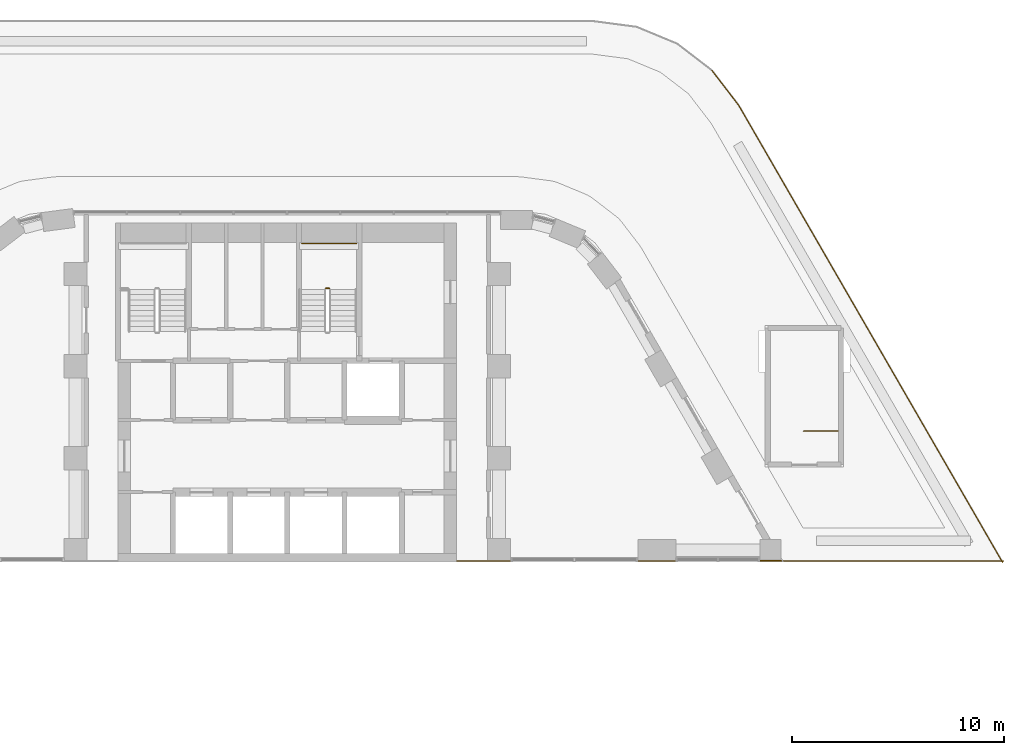
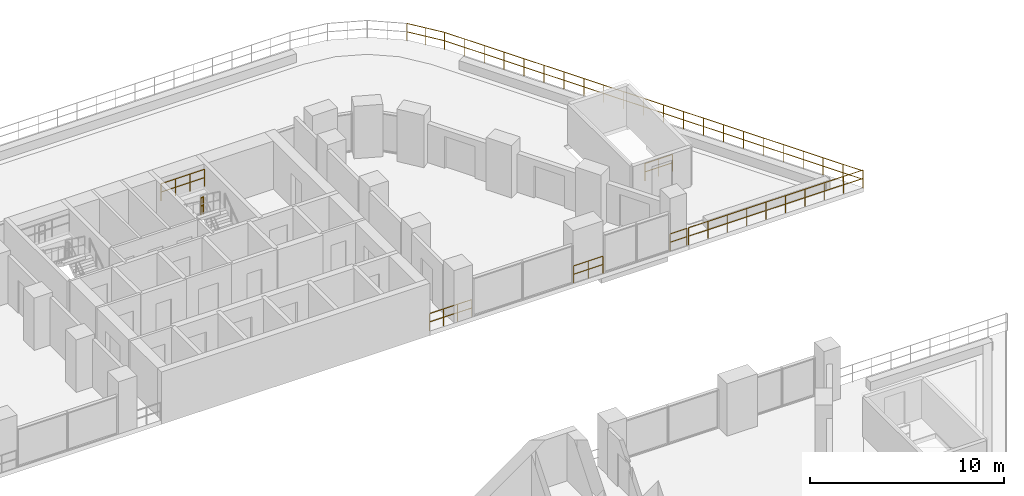
# One storey, part 23 of 24: 9 railings.
"""IFC4 building model written with IfcOpenShell, lengths in metres."""

import ifcopenshell
import ifcopenshell.guid

model = None  # the IFC model being written
_history = None  # IfcOwnerHistory: only IFC2X3 demands one
_inside = {}  # id of a spatial element -> (the spatial element, [elements in it])
_under = {}  # id of a project, library or spatial element -> (it, [spatial elements below it])
_declared = {}  # id of a project -> (the project, [libraries it declares])
_typed = {}  # id of a type object -> (the type object, [elements of that type])
_made_of = {}  # id of a material, layer set ... -> (it, [elements and type objects made of it])


def new_model(schema):
    """Start an empty IFC model of exactly this schema.

    Asked for "IFC4X3", IfcOpenShell would pick the latest addendum, in which some entities
    have other attributes; the version numbers below select the first issue.
    IFC2X3 requires an IfcOwnerHistory on every rooted entity: one is made here for all.
    """
    global model, _history
    if schema == "IFC4X3":
        model = ifcopenshell.file(schema_version=(4, 3, 0, 0))
    else:
        model = ifcopenshell.file(schema=schema)
    _inside.clear()
    _under.clear()
    _declared.clear()
    _typed.clear()
    _made_of.clear()
    _history = None
    if model.schema == "IFC2X3":
        org = make("IfcOrganization", Name="unknown")
        user = make(
            "IfcPersonAndOrganization",
            ThePerson=make("IfcPerson", FamilyName="unknown"),
            TheOrganization=org,
        )
        app = make(
            "IfcApplication",
            ApplicationDeveloper=org,
            Version="unknown",
            ApplicationFullName="unknown",
            ApplicationIdentifier="unknown",
        )
        _history = make(
            "IfcOwnerHistory",
            OwningUser=user,
            OwningApplication=app,
            ChangeAction="ADDED",
            CreationDate=0,
        )
    return model


def make(cls, **values):
    """One entity of the class cls with the attributes given. An attribute that is None is left unset."""
    return model.create_entity(
        cls, **{name: value for name, value in values.items() if value is not None}
    )


def rooted(cls, **values):
    """An entity with a GlobalId (a new one), such as an element, a storey or a relation."""
    return make(cls, GlobalId=ifcopenshell.guid.new(), OwnerHistory=_history, **values)


def si_unit(unit_type, name, prefix=None):
    """IfcSIUnit, for example si_unit("LENGTHUNIT", "METRE", prefix="MILLI")."""
    return make("IfcSIUnit", UnitType=unit_type, Prefix=prefix, Name=name)


def assignment(units):
    """IfcUnitAssignment: the units of a project."""
    return None if units is None else make("IfcUnitAssignment", Units=units)


def point(xyz):
    """IfcCartesianPoint."""
    return None if xyz is None else make("IfcCartesianPoint", Coordinates=xyz)


def direction(xyz):
    """IfcDirection."""
    return None if xyz is None else make("IfcDirection", DirectionRatios=xyz)


def frame(location, z_axis=None, x_axis=None):
    """IfcAxis2Placement3D, a coordinate frame: its origin and axes. An axis left out is left unset."""
    return make(
        "IfcAxis2Placement3D",
        Location=point(location),
        Axis=direction(z_axis),
        RefDirection=direction(x_axis),
    )


def frame_2d(location, x_axis=None):
    """IfcAxis2Placement2D, a coordinate frame in the plane: its origin and x axis."""
    return make(
        "IfcAxis2Placement2D", Location=point(location), RefDirection=direction(x_axis)
    )


def origin():
    """The frame at (0, 0, 0) with its axes left unset."""
    return frame((0.0, 0.0, 0.0))


def origin_2d():
    """The frame at (0, 0) in the plane with its x axis left unset."""
    return frame_2d((0.0, 0.0))


def place(relative_to, where):
    """IfcLocalPlacement: puts the frame where relative to a parent placement (None: the world)."""
    return make(
        "IfcLocalPlacement", PlacementRelTo=relative_to, RelativePlacement=where
    )


def context(
    kind, dimensions, precision=None, world=None, true_north=None, identifier=None
):
    """IfcGeometricRepresentationContext, for example the 3D "Model" context."""
    return make(
        "IfcGeometricRepresentationContext",
        ContextIdentifier=identifier,
        ContextType=kind,
        CoordinateSpaceDimension=dimensions,
        Precision=precision,
        WorldCoordinateSystem=world,
        TrueNorth=true_north,
    )


def subcontext(parent, identifier, kind, view, scale=None):
    """IfcGeometricRepresentationSubContext, for example "Body" below "Model"."""
    return make(
        "IfcGeometricRepresentationSubContext",
        ContextIdentifier=identifier,
        ContextType=kind,
        ParentContext=parent,
        TargetScale=scale,
        TargetView=view,
    )


def project(units=None, contexts=None):
    """IfcProject with its units and contexts."""
    return rooted(
        "IfcProject",
        Name="project",
        RepresentationContexts=contexts,
        UnitsInContext=assignment(units),
    )


def spatial(cls, under=None, at=None, **own):
    """A site, building, storey or space (cls), placed at a placement, below another one or the project."""
    s = rooted(cls, ObjectPlacement=at, **own)
    if under is not None:
        _under.setdefault(under.id(), (under, []))[1].append(s)
    return s


def profile(cls, at=None, kind="AREA", **sizes):
    """A parametric profile (cls). Its sizes go by their IFC names, for example OverallWidth=200.0."""
    return make(cls, ProfileType=kind, Position=at, **sizes)


def circle(**sizes):
    """IfcCircleProfileDef."""
    return profile("IfcCircleProfileDef", **sizes)


def extrude(swept, where, along, depth):
    """IfcExtrudedAreaSolid: the profile swept, set in the frame where, extruded along a direction by depth."""
    return make(
        "IfcExtrudedAreaSolid",
        SweptArea=swept,
        Position=where,
        ExtrudedDirection=direction(along),
        Depth=depth,
    )


def shape(context_of_items, identifier, shape_type, items):
    """IfcShapeRepresentation: the items that make up one representation, for example the "Body"."""
    return make(
        "IfcShapeRepresentation",
        ContextOfItems=context_of_items,
        RepresentationIdentifier=identifier,
        RepresentationType=shape_type,
        Items=items,
    )


def material(Name=None, Category=None):
    """IfcMaterial."""
    return make("IfcMaterial", Name=Name, Category=Category)


def made_of(thing, what):
    """Note that an element or type object is made of a material, layer set ...; save() writes the relation."""
    if what is not None:
        _made_of.setdefault(what.id(), (what, []))[1].append(thing)
    return thing


def type_object(cls, material=None, **own):
    """A type object (cls), such as IfcWallType, which elements share."""
    return made_of(rooted(cls, **own), material)


def element(
    cls,
    number,
    at=None,
    inside=None,
    cuts=None,
    type_object=None,
    material=None,
    context=None,
    identifier="Body",
    shape_type=None,
    held_by="IfcProductDefinitionShape",
    body=None,
    shapes=None,
    **own,
):
    """One element of the class cls, such as IfcWall. Its Tag is "e" and its number.

    at: its placement. inside: the storey or other place that contains it. cuts: it is an
    opening in that element (IfcRelVoidsElement). A single representation is given by context,
    identifier, shape_type and body (its items); several are given by shapes. held_by: the class
    of the entity that holds the representations. save() writes the other relations.
    """
    e = rooted(cls, Tag="e%d" % number, ObjectPlacement=at, **own)
    if body is not None:
        shapes = [shape(context, identifier, shape_type, body)]
    if shapes is not None:
        e.Representation = make(held_by, Representations=shapes)
    if inside is not None:
        _inside.setdefault(inside.id(), (inside, []))[1].append(e)
    if cuts is not None:
        rooted(
            "IfcRelVoidsElement", RelatingBuildingElement=cuts, RelatedOpeningElement=e
        )
    if type_object is not None:
        _typed.setdefault(type_object.id(), (type_object, []))[1].append(e)
    return made_of(e, material)


def aggregate(whole, parts):
    """IfcRelAggregates: a whole, such as a stair, and the parts it consists of."""
    return rooted("IfcRelAggregates", RelatingObject=whole, RelatedObjects=parts)


def save(model, path):
    """Write the relations noted so far, then the file.

    IfcRelAggregates (storeys below a building ...), IfcRelContainedInSpatialStructure (elements
    in a storey), IfcRelDefinesByType, IfcRelAssociatesMaterial and IfcRelDeclares: one each for
    every whole, place, type object, material and project.
    """
    for whole, parts in _under.values():
        aggregate(whole, parts)
    for where, things in _inside.values():
        rooted(
            "IfcRelContainedInSpatialStructure",
            RelatedElements=things,
            RelatingStructure=where,
        )
    for kind, things in _typed.values():
        rooted("IfcRelDefinesByType", RelatedObjects=things, RelatingType=kind)
    for what, things in _made_of.values():
        rooted("IfcRelAssociatesMaterial", RelatedObjects=things, RelatingMaterial=what)
    for by, libraries in _declared.values():
        rooted("IfcRelDeclares", RelatingContext=by, RelatedDefinitions=libraries)
    model.write(path)


model = new_model("IFC4")

# Units and contexts
model_context = context("Model", 3, precision=1e-05, world=origin(), true_north=direction((0.0, 1.0)))
body_context = subcontext(model_context, "Body", "Model", "MODEL_VIEW")
ifc_project = project(units=[si_unit("LENGTHUNIT", "METRE"), si_unit("AREAUNIT", "SQUARE_METRE"), si_unit("VOLUMEUNIT", "CUBIC_METRE"), si_unit("PLANEANGLEUNIT", "RADIAN"), si_unit("MASSUNIT", "GRAM", prefix="KILO")], contexts=[model_context])

# Site, building, storey
site_placement = place(None, origin())
site = spatial("IfcSite", under=ifc_project, at=site_placement, CompositionType="ELEMENT")
building_placement = place(site_placement, origin())
building = spatial("IfcBuilding", under=site, at=building_placement, Name="Nakaniwa Court", CompositionType="ELEMENT")
storey_placement = place(building_placement, frame((0.0, 0.0, 28.199951171875)))
storey = spatial("IfcBuildingStorey", under=building, at=storey_placement, Name="L06", CompositionType="ELEMENT", Elevation=28.199951171875)

# Railings
ifc_material_1 = material(Name="Black powder-coated steel flat bar balustrade S275", Category="steel")
railing_type_1 = type_object("IfcRailingType", Name="Black metal terrace guard 1100", PredefinedType="GUARDRAIL", material=ifc_material_1)
railing_1_placement = place(storey_placement, frame((103.4404296875, 87.449951171875, 0.0)))
element("IfcRailing", 1, at=railing_1_placement, inside=storey, type_object=railing_type_1, Name="L06 play deck 2 guard 3", PredefinedType="GUARDRAIL", context=body_context, shape_type="SweptSolid", body=[
    extrude(circle(Radius=0.02392578125, at=origin_2d()), frame((0.0, 0.0, 1.076171875), z_axis=(1.0, 0.0, 0.0), x_axis=(0.0, 1.0, 0.0)), (0.0, 0.0, 1.0), 10.392333984375),
    extrude(circle(Radius=0.02392578125, at=origin_2d()), frame((0.0, 0.0, 0.550048828125), z_axis=(1.0, 0.0, 0.0), x_axis=(0.0, 1.0, 0.0)), (0.0, 0.0, 1.0), 10.392333984375),
    extrude(circle(Radius=0.02099609375, at=origin_2d()), origin(), (0.0, 0.0, 1.0), 1.052001953125),
    extrude(circle(Radius=0.02099609375, at=origin_2d()), frame((1.15478515625, 0.0, 0.0)), (0.0, 0.0, 1.0), 1.052001953125),
    extrude(circle(Radius=0.02099609375, at=origin_2d()), frame((2.309326171875, 0.0, 0.0)), (0.0, 0.0, 1.0), 1.052001953125),
    extrude(circle(Radius=0.02099609375, at=origin_2d()), frame((3.464111328125, 0.0, 0.0)), (0.0, 0.0, 1.0), 1.052001953125),
    extrude(circle(Radius=0.02099609375, at=origin_2d()), frame((4.618896484375, 0.0, 0.0)), (0.0, 0.0, 1.0), 1.052001953125),
    extrude(circle(Radius=0.02099609375, at=origin_2d()), frame((5.7734375, 0.0, 0.0)), (0.0, 0.0, 1.0), 1.052001953125),
    extrude(circle(Radius=0.02099609375, at=origin_2d()), frame((6.92822265625, 0.0, 0.0)), (0.0, 0.0, 1.0), 1.052001953125),
    extrude(circle(Radius=0.02099609375, at=origin_2d()), frame((8.0830078125, 0.0, 0.0)), (0.0, 0.0, 1.0), 1.052001953125),
    extrude(circle(Radius=0.02099609375, at=origin_2d()), frame((9.237548828125, 0.0, 0.0)), (0.0, 0.0, 1.0), 1.052001953125),
    extrude(circle(Radius=0.02099609375, at=origin_2d()), frame((10.392333984375, 0.0, 0.0)), (0.0, 0.0, 1.0), 1.052001953125),
])
railing_2_placement = place(storey_placement, frame((113.789306640625, 87.375, 0.0)))
element("IfcRailing", 2, at=railing_2_placement, inside=storey, type_object=railing_type_1, Name="L06 play deck 2 guard 4", PredefinedType="GUARDRAIL", context=body_context, shape_type="SweptSolid", body=[
    extrude(circle(Radius=0.02392578125, at=origin_2d()), frame((0.0, 0.0, 1.076171875), z_axis=(-0.499996419489, 0.866027470984, 0.0), x_axis=(-0.866027470984, -0.499996419489, 0.0)), (0.0, 0.0, 1.0), 24.941650390625),
    extrude(circle(Radius=0.02392578125, at=origin_2d()), frame((0.0, 0.0, 0.550048828125), z_axis=(-0.499996419489, 0.866027470984, 0.0), x_axis=(-0.866027470984, -0.499996419489, 0.0)), (0.0, 0.0, 1.0), 24.941650390625),
    extrude(circle(Radius=0.02099609375, at=origin_2d()), origin(), (0.0, 0.0, 1.0), 1.052001953125),
    extrude(circle(Radius=0.02099609375, at=origin_2d()), frame((-0.59375, 1.028564453125, 0.0)), (0.0, 0.0, 1.0), 1.052001953125),
    extrude(circle(Radius=0.02099609375, at=origin_2d()), frame((-1.187744140625, 2.05712890625, 0.0)), (0.0, 0.0, 1.0), 1.052001953125),
    extrude(circle(Radius=0.02099609375, at=origin_2d()), frame((-1.781494140625, 3.085693359375, 0.0)), (0.0, 0.0, 1.0), 1.052001953125),
    extrude(circle(Radius=0.02099609375, at=origin_2d()), frame((-2.37548828125, 4.1142578125, 0.0)), (0.0, 0.0, 1.0), 1.052001953125),
    extrude(circle(Radius=0.02099609375, at=origin_2d()), frame((-2.96923828125, 5.142822265625, 0.0)), (0.0, 0.0, 1.0), 1.052001953125),
    extrude(circle(Radius=0.02099609375, at=origin_2d()), frame((-3.56298828125, 6.17138671875, 0.0)), (0.0, 0.0, 1.0), 1.052001953125),
    extrude(circle(Radius=0.02099609375, at=origin_2d()), frame((-4.156982421875, 7.199951171875, 0.0)), (0.0, 0.0, 1.0), 1.052001953125),
    extrude(circle(Radius=0.02099609375, at=origin_2d()), frame((-4.750732421875, 8.228515625, 0.0)), (0.0, 0.0, 1.0), 1.052001953125),
    extrude(circle(Radius=0.02099609375, at=origin_2d()), frame((-5.344482421875, 9.257080078125, 0.0)), (0.0, 0.0, 1.0), 1.052001953125),
    extrude(circle(Radius=0.02099609375, at=origin_2d()), frame((-5.9384765625, 10.28564453125, 0.0)), (0.0, 0.0, 1.0), 1.052001953125),
    extrude(circle(Radius=0.02099609375, at=origin_2d()), frame((-6.5322265625, 11.314453125, 0.0)), (0.0, 0.0, 1.0), 1.052001953125),
    extrude(circle(Radius=0.02099609375, at=origin_2d()), frame((-7.126220703125, 12.343017578125, 0.0)), (0.0, 0.0, 1.0), 1.052001953125),
    extrude(circle(Radius=0.02099609375, at=origin_2d()), frame((-7.719970703125, 13.37158203125, 0.0)), (0.0, 0.0, 1.0), 1.052001953125),
    extrude(circle(Radius=0.02099609375, at=origin_2d()), frame((-8.313720703125, 14.400146484375, 0.0)), (0.0, 0.0, 1.0), 1.052001953125),
    extrude(circle(Radius=0.02099609375, at=origin_2d()), frame((-8.90771484375, 15.4287109375, 0.0)), (0.0, 0.0, 1.0), 1.052001953125),
    extrude(circle(Radius=0.02099609375, at=origin_2d()), frame((-9.50146484375, 16.457275390625, 0.0)), (0.0, 0.0, 1.0), 1.052001953125),
    extrude(circle(Radius=0.02099609375, at=origin_2d()), frame((-10.09521484375, 17.48583984375, 0.0)), (0.0, 0.0, 1.0), 1.052001953125),
    extrude(circle(Radius=0.02099609375, at=origin_2d()), frame((-10.689208984375, 18.514404296875, 0.0)), (0.0, 0.0, 1.0), 1.052001953125),
    extrude(circle(Radius=0.02099609375, at=origin_2d()), frame((-11.282958984375, 19.54296875, 0.0)), (0.0, 0.0, 1.0), 1.052001953125),
    extrude(circle(Radius=0.02099609375, at=origin_2d()), frame((-11.876953125, 20.571533203125, 0.0)), (0.0, 0.0, 1.0), 1.052001953125),
    extrude(circle(Radius=0.02099609375, at=origin_2d()), frame((-12.470703125, 21.60009765625, 0.0)), (0.0, 0.0, 1.0), 1.052001953125),
])
railing_3_placement = place(storey_placement, frame((101.322265625, 108.969482421875, 0.0)))
element("IfcRailing", 3, at=railing_3_placement, inside=storey, type_object=railing_type_1, Name="L06 play deck 2 guard 5", PredefinedType="GUARDRAIL", context=body_context, shape_type="SweptSolid", body=[
    extrude(circle(Radius=0.02392578125, at=origin_2d()), frame((0.0, 0.0, 1.076171875), z_axis=(-0.608772592343, 0.793344774239, 0.0), x_axis=(-0.793344774239, -0.608772592343, 0.0)), (0.0, 0.0, 1.0), 2.088623046875),
    extrude(circle(Radius=0.02392578125, at=origin_2d()), frame((0.0, 0.0, 0.550048828125), z_axis=(-0.608772592343, 0.793344774239, 0.0), x_axis=(-0.793344774239, -0.608772592343, 0.0)), (0.0, 0.0, 1.0), 2.088623046875),
    extrude(circle(Radius=0.02099609375, at=origin_2d()), origin(), (0.0, 0.0, 1.0), 1.052001953125),
    extrude(circle(Radius=0.02099609375, at=origin_2d()), frame((-0.6357421875, 0.82861328125, 0.0)), (0.0, 0.0, 1.0), 1.052001953125),
    extrude(circle(Radius=0.02099609375, at=origin_2d()), frame((-1.271484375, 1.656982421875, 0.0)), (0.0, 0.0, 1.0), 1.052001953125),
])
ifc_material_2 = material(Name="Black powder coated steel guard", Category="steel")
railing_type_2 = type_object("IfcRailingType", Name="Stair guard 1100", PredefinedType="GUARDRAIL", material=ifc_material_2)
railing_4_placement = place(storey_placement, frame((81.97509765625, 100.324951171875, 1.650146484375)))
element("IfcRailing", 4, at=railing_4_placement, inside=storey, type_object=railing_type_2, Name="L06 ST2 stair guard 2", PredefinedType="GUARDRAIL", context=body_context, shape_type="SweptSolid", body=[
    extrude(circle(Radius=0.02392578125, at=origin_2d()), frame((0.0, 0.0, 1.076171875), z_axis=(-1.0, 0.0, 0.0), x_axis=(0.0, -1.0, 0.0)), (0.0, 0.0, 1.0), 0.150146484375),
    extrude(circle(Radius=0.02392578125, at=origin_2d()), frame((0.0, 0.0, 0.550048828125), z_axis=(-1.0, 0.0, 0.0), x_axis=(0.0, -1.0, 0.0)), (0.0, 0.0, 1.0), 0.150146484375),
    extrude(circle(Radius=0.02099609375, at=origin_2d()), origin(), (0.0, 0.0, 1.0), 1.052001953125),
    extrude(circle(Radius=0.02099609375, at=origin_2d()), frame((-0.150146484375, 0.0, 0.0)), (0.0, 0.0, 1.0), 1.052001953125),
])
railing_5_placement = place(storey_placement, frame((80.675048828125, 102.449951171875, 1.650146484375)))
element("IfcRailing", 5, at=railing_5_placement, inside=storey, type_object=railing_type_2, Name="L06 ST2 landing end guard 1", PredefinedType="GUARDRAIL", context=body_context, shape_type="SweptSolid", body=[
    extrude(circle(Radius=0.02392578125, at=origin_2d()), frame((0.0, 0.0, 1.076171875), z_axis=(1.0, 0.0, 0.0), x_axis=(0.0, 1.0, 0.0)), (0.0, 0.0, 1.0), 2.599853515625),
    extrude(circle(Radius=0.02392578125, at=origin_2d()), frame((0.0, 0.0, 0.550048828125), z_axis=(1.0, 0.0, 0.0), x_axis=(0.0, 1.0, 0.0)), (0.0, 0.0, 1.0), 2.599853515625),
    extrude(circle(Radius=0.02099609375, at=origin_2d()), origin(), (0.0, 0.0, 1.0), 1.052001953125),
    extrude(circle(Radius=0.02099609375, at=origin_2d()), frame((0.86669921875, 0.0, 0.0)), (0.0, 0.0, 1.0), 1.052001953125),
    extrude(circle(Radius=0.02099609375, at=origin_2d()), frame((1.733154296875, 0.0, 0.0)), (0.0, 0.0, 1.0), 1.052001953125),
    extrude(circle(Radius=0.02099609375, at=origin_2d()), frame((2.599853515625, 0.0, 0.0)), (0.0, 0.0, 1.0), 1.052001953125),
])
railing_6_placement = place(storey_placement, frame((106.02490234375, 93.574951171875, 0.0)))
element("IfcRailing", 6, at=railing_6_placement, inside=storey, type_object=railing_type_2, Name="L06 SS1 top well guard 1", PredefinedType="GUARDRAIL", context=body_context, shape_type="SweptSolid", body=[
    extrude(circle(Radius=0.02392578125, at=origin_2d()), frame((0.0, 0.0, 1.076171875), z_axis=(-1.0, 0.0, 0.0), x_axis=(0.0, -1.0, 0.0)), (0.0, 0.0, 1.0), 1.64990234375),
    extrude(circle(Radius=0.02392578125, at=origin_2d()), frame((0.0, 0.0, 0.550048828125), z_axis=(-1.0, 0.0, 0.0), x_axis=(0.0, -1.0, 0.0)), (0.0, 0.0, 1.0), 1.64990234375),
    extrude(circle(Radius=0.02099609375, at=origin_2d()), origin(), (0.0, 0.0, 1.0), 1.052001953125),
    extrude(circle(Radius=0.02099609375, at=origin_2d()), frame((-0.824951171875, 0.0, 0.0)), (0.0, 0.0, 1.0), 1.052001953125),
    extrude(circle(Radius=0.02099609375, at=origin_2d()), frame((-1.64990234375, 0.0, 0.0)), (0.0, 0.0, 1.0), 1.052001953125),
])
railing_7_placement = place(storey_placement, frame((103.3310546875, 87.449951171875, 0.0)))
element("IfcRailing", 7, at=railing_7_placement, inside=storey, type_object=railing_type_2, Name="GUARD GD-L06-107", PredefinedType="GUARDRAIL", context=body_context, shape_type="SweptSolid", body=[
    extrude(circle(Radius=0.02392578125, at=origin_2d()), frame((0.0, 0.0, 1.076171875), z_axis=(-1.0, 0.0, 0.0), x_axis=(0.0, -1.0, 0.0)), (0.0, 0.0, 1.0), 0.988037109375),
    extrude(circle(Radius=0.02392578125, at=origin_2d()), frame((0.0, 0.0, 0.550048828125), z_axis=(-1.0, 0.0, 0.0), x_axis=(0.0, -1.0, 0.0)), (0.0, 0.0, 1.0), 0.988037109375),
    extrude(circle(Radius=0.02099609375, at=origin_2d()), origin(), (0.0, 0.0, 1.0), 1.052001953125),
    extrude(circle(Radius=0.02099609375, at=origin_2d()), frame((-0.988037109375, 0.0, 0.0)), (0.0, 0.0, 1.0), 1.052001953125),
])
railing_8_placement = place(storey_placement, frame((98.34375, 87.449951171875, 0.0)))
element("IfcRailing", 8, at=railing_8_placement, inside=storey, type_object=railing_type_2, Name="GUARD GD-L06-108", PredefinedType="GUARDRAIL", context=body_context, shape_type="SweptSolid", body=[
    extrude(circle(Radius=0.02392578125, at=origin_2d()), frame((0.0, 0.0, 1.076171875), z_axis=(-1.0, 0.0, 0.0), x_axis=(0.0, -1.0, 0.0)), (0.0, 0.0, 1.0), 1.75634765625),
    extrude(circle(Radius=0.02392578125, at=origin_2d()), frame((0.0, 0.0, 0.550048828125), z_axis=(-1.0, 0.0, 0.0), x_axis=(0.0, -1.0, 0.0)), (0.0, 0.0, 1.0), 1.75634765625),
    extrude(circle(Radius=0.02099609375, at=origin_2d()), origin(), (0.0, 0.0, 1.0), 1.052001953125),
    extrude(circle(Radius=0.02099609375, at=origin_2d()), frame((-0.878173828125, 0.0, 0.0)), (0.0, 0.0, 1.0), 1.052001953125),
    extrude(circle(Radius=0.02099609375, at=origin_2d()), frame((-1.75634765625, 0.0, 0.0)), (0.0, 0.0, 1.0), 1.052001953125),
])
railing_9_placement = place(storey_placement, frame((90.52392578125, 87.449951171875, 0.0)))
element("IfcRailing", 9, at=railing_9_placement, inside=storey, type_object=railing_type_2, Name="GUARD GD-L06-109", PredefinedType="GUARDRAIL", context=body_context, shape_type="SweptSolid", body=[
    extrude(circle(Radius=0.02392578125, at=origin_2d()), frame((0.0, 0.0, 1.076171875), z_axis=(-1.0, 0.0, 0.0), x_axis=(0.0, -1.0, 0.0)), (0.0, 0.0, 1.0), 2.514892578125),
    extrude(circle(Radius=0.02392578125, at=origin_2d()), frame((0.0, 0.0, 0.550048828125), z_axis=(-1.0, 0.0, 0.0), x_axis=(0.0, -1.0, 0.0)), (0.0, 0.0, 1.0), 2.514892578125),
    extrude(circle(Radius=0.02099609375, at=origin_2d()), origin(), (0.0, 0.0, 1.0), 1.052001953125),
    extrude(circle(Radius=0.02099609375, at=origin_2d()), frame((-0.83837890625, 0.0, 0.0)), (0.0, 0.0, 1.0), 1.052001953125),
    extrude(circle(Radius=0.02099609375, at=origin_2d()), frame((-1.676513671875, 0.0, 0.0)), (0.0, 0.0, 1.0), 1.052001953125),
    extrude(circle(Radius=0.02099609375, at=origin_2d()), frame((-2.514892578125, 0.0, 0.0)), (0.0, 0.0, 1.0), 1.052001953125),
])

save(model, "model.ifc")
